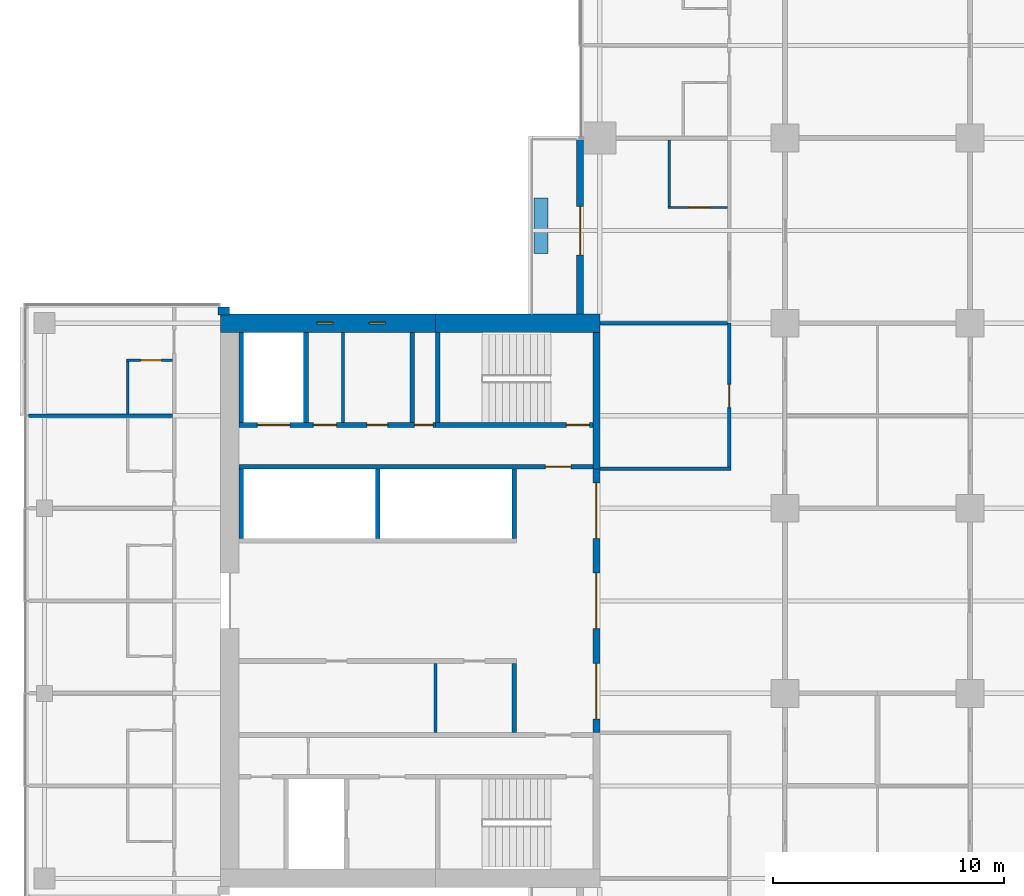
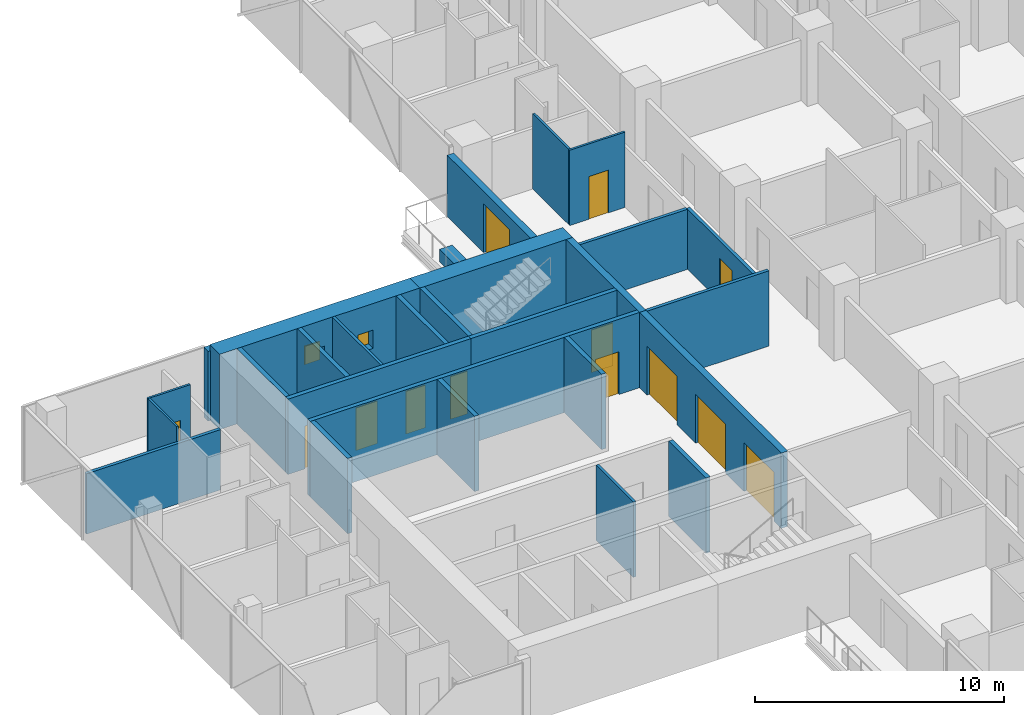
# One storey, part 19 of 29: 28 walls, 13 doors, 2 windows, 15 openings.
"""IFC4 building model written with IfcOpenShell, lengths in metres."""

from ifc_helpers import new_model, si_unit, direction, frame, frame_2d, origin, place, context, subcontext, project, spatial, rectangle, extrude, material, layer, layer_set, constituent, constituent_set, type_object, element, fill, save


model = new_model("IFC4")

# Units and contexts
model_context = context("Model", 3, precision=1e-05, world=origin(), true_north=direction((0.0, 1.0)))
body_context = subcontext(model_context, "Body", "Model", "MODEL_VIEW")
ifc_project = project(units=[si_unit("LENGTHUNIT", "METRE"), si_unit("AREAUNIT", "SQUARE_METRE"), si_unit("VOLUMEUNIT", "CUBIC_METRE"), si_unit("PLANEANGLEUNIT", "RADIAN"), si_unit("MASSUNIT", "GRAM", prefix="KILO")], contexts=[model_context])

# Site, building, storey
site_placement = place(None, origin())
site = spatial("IfcSite", under=ifc_project, at=site_placement, CompositionType="ELEMENT")
building_placement = place(site_placement, origin())
building = spatial("IfcBuilding", under=site, at=building_placement, Name="Crosswind Convention Tower", CompositionType="ELEMENT")
storey_placement = place(building_placement, frame((0.0, 0.0, 60.89990234375)))
storey = spatial("IfcBuildingStorey", under=building, at=storey_placement, Name="L09", CompositionType="ELEMENT", Elevation=60.89990234375)

# Walls
ifc_material_1 = material(Name="Concrete blockwork", Category="masonry")
ifc_layer_1 = layer(ifc_material_1, 0.199951171875)
ifc_layer_set_1 = layer_set([ifc_layer_1], Name="Blockwork partition wall 200")
wall_type_1 = type_object("IfcWallType", Name="Blockwork partition wall 200", PredefinedType="PARTITIONING", material=ifc_layer_set_1)
wall_1_placement = place(storey_placement, frame((104.89990234375, 111.60009765625, 0.0), z_axis=(0.0, 0.0, 1.0), x_axis=(0.0, -1.0, 0.0)))
element("IfcWall", 1, at=wall_1_placement, inside=storey, type_object=wall_type_1, Name="Wall MRSE W L09", PredefinedType="PARTITIONING", context=body_context, shape_type="SweptSolid", body=[
    extrude(rectangle(XDim=3.900146484375, YDim=0.199951171875, at=frame_2d((1.9501953125, 0.0))), origin(), (0.0, 0.0, 1.0), 3.7001953125),
])
ifc_material_2 = material(Name="Plasterboard partition", Category="gypsum")
ifc_layer_2 = layer(ifc_material_2, 0.14990234375)
ifc_layer_set_2 = layer_set([ifc_layer_2], Name="CORRIDOR WALL 150")
wall_type_2 = type_object("IfcWallType", Name="CORRIDOR WALL 150", PredefinedType="PARTITIONING", material=ifc_layer_set_2)
wall_2_placement = place(storey_placement, frame((113.0, 105.699951171875, 0.0), z_axis=(0.0, 0.0, 1.0), x_axis=(1.0, 0.0, 0.0)))
element("IfcWall", 2, at=wall_2_placement, inside=storey, type_object=wall_type_2, Name="Corridor Wall 54", PredefinedType="PARTITIONING", context=body_context, shape_type="SweptSolid", body=[
    extrude(rectangle(XDim=5.675048828125, YDim=0.14990234375, at=frame_2d((2.83740234375, 0.0))), origin(), (0.0, 0.0, 1.0), 3.7001953125),
])

# Wall, opening, door
wall_3_placement = place(storey_placement, frame((118.60009765625, 105.77490234375, 0.0), z_axis=(0.0, 0.0, 1.0), x_axis=(0.0, 1.0, 0.0)))
wall_3 = element("IfcWall", 3, at=wall_3_placement, inside=storey, type_object=wall_type_2, Name="Corridor Wall 105", PredefinedType="PARTITIONING", context=body_context, shape_type="SweptSolid", body=[
    extrude(rectangle(XDim=6.22509765625, YDim=0.14990234375, at=frame_2d((3.112548828125, 0.0))), origin(), (0.0, 0.0, 1.0), 2.95654296875),
])
opening_1_placement = place(wall_3_placement, frame((2.574951171875, 0.0, 0.0)))
opening_1 = element("IfcOpeningElement", 4, at=opening_1_placement, cuts=wall_3, Name="Opening 09.003", PredefinedType="OPENING", context=body_context, shape_type="SweptSolid", body=[
    extrude(rectangle(XDim=1.0, YDim=2.10009765625, at=frame_2d((0.5, 1.050048828125))), frame((0.0, 0.0849609375, 0.0), z_axis=(0.0, -1.0, 0.0), x_axis=(1.0, 0.0, 0.0)), (0.0, 0.0, 1.0), 0.169921875),
])
ifc_material_3 = material(Name="Timber fire door", Category="wood")
door_type_1 = type_object("IfcDoorType", Name="SERVICE ROOM DOOR 1000X2100", OperationType="NOTDEFINED", PredefinedType="DOOR", material=ifc_material_3)
door_1_placement = place(opening_1_placement, origin())
door_1 = element("IfcDoor", 5, at=door_1_placement, inside=storey, type_object=door_type_1, Name="Door 09.003", ObjectType="D3", OperationType="SINGLE_SWING_RIGHT", OverallHeight=2.10009765625, OverallWidth=1.0, PredefinedType="DOOR", context=body_context, shape_type="SweptSolid", body=[
    extrude(rectangle(XDim=1.0, YDim=2.10009765625, at=frame_2d((0.5, 1.050048828125))), frame((0.0, 0.02490234375, 0.0), z_axis=(0.0, -1.0, 0.0), x_axis=(1.0, 0.0, 0.0)), (0.0, 0.0, 1.0), 0.050048828125),
])
fill(opening_1, door_1)

# Wall, openings, doors
ifc_material_4 = material(Name="Concrete C50/60", Category="concrete")
ifc_layer_3 = layer(ifc_material_4, 0.300048828125)
ifc_layer_set_3 = layer_set([ifc_layer_3], Name="Concrete C50/60")
wall_type_3 = type_object("IfcWallType", Name="Concrete inner core wall 300", PredefinedType="SHEAR", material=ifc_layer_set_3)
wall_4_placement = place(storey_placement, frame((112.85009765625, 105.699951171875, 0.0), z_axis=(0.0, 0.0, 1.0), x_axis=(0.0, -1.0, 0.0)))
wall_4 = element("IfcWall", 6, at=wall_4_placement, inside=storey, type_object=wall_type_3, Name="Wall SCR W L09", PredefinedType="SHEAR", context=body_context, shape_type="SweptSolid", body=[
    extrude(rectangle(XDim=11.39990234375, YDim=0.300048828125, at=frame_2d((5.699951171875, 0.0))), origin(), (0.0, 0.0, 1.0), 3.7001953125),
])
opening_2_placement = place(wall_4_placement, frame((0.60009765625, 0.0, 0.0)))
opening_2 = element("IfcOpeningElement", 7, at=opening_2_placement, cuts=wall_4, Name="Opening D100", PredefinedType="OPENING", context=body_context, shape_type="SweptSolid", body=[
    extrude(rectangle(XDim=2.39990234375, YDim=2.39990234375, at=frame_2d((1.199951171875, 1.199951171875))), frame((0.0, 0.159912109375, 0.0), z_axis=(0.0, -1.0, 0.0), x_axis=(1.0, 0.0, 0.0)), (0.0, 0.0, 1.0), 0.320068359375),
])
opening_3_placement = place(wall_4_placement, frame((4.5, 0.0, 0.0)))
opening_3 = element("IfcOpeningElement", 8, at=opening_3_placement, cuts=wall_4, Name="Opening D100", PredefinedType="OPENING", context=body_context, shape_type="SweptSolid", body=[
    extrude(rectangle(XDim=2.39990234375, YDim=2.39990234375, at=frame_2d((1.199951171875, 1.199951171875))), frame((0.0, 0.159912109375, 0.0), z_axis=(0.0, -1.0, 0.0), x_axis=(1.0, 0.0, 0.0)), (0.0, 0.0, 1.0), 0.320068359375),
])
opening_4_placement = place(wall_4_placement, frame((8.39990234375, 0.0, 0.0)))
opening_4 = element("IfcOpeningElement", 9, at=opening_4_placement, cuts=wall_4, Name="Opening D100", PredefinedType="OPENING", context=body_context, shape_type="SweptSolid", body=[
    extrude(rectangle(XDim=2.39990234375, YDim=2.39990234375, at=frame_2d((1.199951171875, 1.199951171875))), frame((0.0, 0.159912109375, 0.0), z_axis=(0.0, -1.0, 0.0), x_axis=(1.0, 0.0, 0.0)), (0.0, 0.0, 1.0), 0.320068359375),
])
ifc_material_5 = material(Name="Steel fire door with glazed vision panels", Category="steel")
door_type_2 = type_object("IfcDoorType", Name="Fire-rated double door 2400x2400", OperationType="DOUBLE_DOOR_SINGLE_SWING", PredefinedType="DOOR", material=ifc_material_5)
door_2_placement = place(opening_2_placement, origin())
door_2 = element("IfcDoor", 10, at=door_2_placement, inside=storey, type_object=door_type_2, Name="Lobby door 1 L09", ObjectType="D100", OperationType="DOUBLE_DOOR_SINGLE_SWING", OverallHeight=2.39990234375, OverallWidth=2.39990234375, PredefinedType="DOOR", context=body_context, shape_type="SweptSolid", body=[
    extrude(rectangle(XDim=2.39990234375, YDim=2.39990234375, at=frame_2d((1.199951171875, 1.199951171875))), frame((0.0, 0.02490234375, 0.0), z_axis=(0.0, -1.0, 0.0), x_axis=(1.0, 0.0, 0.0)), (0.0, 0.0, 1.0), 0.050048828125),
])
fill(opening_2, door_2)
door_3_placement = place(opening_3_placement, origin())
door_3 = element("IfcDoor", 11, at=door_3_placement, inside=storey, type_object=door_type_2, Name="Lobby door 2 L09", ObjectType="D100", OperationType="DOUBLE_DOOR_SINGLE_SWING", OverallHeight=2.39990234375, OverallWidth=2.39990234375, PredefinedType="DOOR", context=body_context, shape_type="SweptSolid", body=[
    extrude(rectangle(XDim=2.39990234375, YDim=2.39990234375, at=frame_2d((1.199951171875, 1.199951171875))), frame((0.0, 0.02490234375, 0.0), z_axis=(0.0, -1.0, 0.0), x_axis=(1.0, 0.0, 0.0)), (0.0, 0.0, 1.0), 0.050048828125),
])
fill(opening_3, door_3)
door_4_placement = place(opening_4_placement, origin())
door_4 = element("IfcDoor", 12, at=door_4_placement, inside=storey, type_object=door_type_2, Name="Lobby door 3 L09", ObjectType="D100", OperationType="DOUBLE_DOOR_SINGLE_SWING", OverallHeight=2.39990234375, OverallWidth=2.39990234375, PredefinedType="DOOR", context=body_context, shape_type="SweptSolid", body=[
    extrude(rectangle(XDim=2.39990234375, YDim=2.39990234375, at=frame_2d((1.199951171875, 1.199951171875))), frame((0.0, 0.02490234375, 0.0), z_axis=(0.0, -1.0, 0.0), x_axis=(1.0, 0.0, 0.0)), (0.0, 0.0, 1.0), 0.050048828125),
])
fill(opening_4, door_4)

# Walls
wall_5_placement = place(storey_placement, frame((112.85009765625, 111.60009765625, 0.0), z_axis=(0.0, 0.0, 1.0), x_axis=(0.0, -1.0, 0.0)))
element("IfcWall", 13, at=wall_5_placement, inside=storey, type_object=wall_type_3, Name="Wall EM W L09", PredefinedType="SHEAR", context=body_context, shape_type="SweptSolid", body=[
    extrude(rectangle(XDim=5.900146484375, YDim=0.300048828125, at=frame_2d((2.9501953125, 0.0))), origin(), (0.0, 0.0, 1.0), 3.7001953125),
])
ifc_layer_4 = layer(ifc_material_4, 0.199951171875)
ifc_layer_set_4 = layer_set([ifc_layer_4], Name="Concrete C50/60")
wall_type_4 = type_object("IfcWallType", Name="Concrete shaft and stair wall 200", PredefinedType="SHEAR", material=ifc_layer_set_4)
for number, where, z_axis, x_axis, name in (
    (14, (109.300048828125, 97.300048828125, 0.0), (0.0, 0.0, 1.0), (0.0, -1.0, 0.0), "Wall RPEND W L09"),
    (15, (109.300048828125, 105.699951171875, 0.0), (0.0, 0.0, 1.0), (0.0, -1.0, 0.0), "Wall RMEND W L09"),
    (16, (103.39990234375, 105.699951171875, 0.0), (0.0, 0.0, 1.0), (0.0, -1.0, 0.0), "Wall RMSEP W L09"),
    (17, (97.5, 105.699951171875, 0.0), (0.0, 0.0, 1.0), (0.0, -1.0, 0.0), "Wall RMEAST W L09"),
):
    element("IfcWall", number, at=place(storey_placement, frame(where, z_axis=z_axis, x_axis=x_axis)), inside=storey, type_object=wall_type_4, Name=name, PredefinedType="SHEAR", context=body_context, shape_type="SweptSolid", body=[
        extrude(rectangle(XDim=3.0, YDim=0.199951171875, at=frame_2d((1.5, 0.0))), origin(), (0.0, 0.0, 1.0), 3.7001953125),
    ])

# Wall, opening, door
wall_6_placement = place(storey_placement, frame((112.699951171875, 105.800048828125, 0.0), z_axis=(0.0, 0.0, 1.0), x_axis=(-1.0, 0.0, 0.0)))
wall_6 = element("IfcWall", 18, at=wall_6_placement, inside=storey, type_object=wall_type_4, Name="Wall HM W L09", PredefinedType="SHEAR", context=body_context, shape_type="SweptSolid", body=[
    extrude(rectangle(XDim=15.300048828125, YDim=0.199951171875, at=frame_2d((7.64990234375, 0.0))), origin(), (0.0, 0.0, 1.0), 3.7001953125),
])
opening_5_placement = place(wall_6_placement, frame((0.949951171875, 0.0, 0.0)))
opening_5 = element("IfcOpeningElement", 19, at=opening_5_placement, cuts=wall_6, Name="Opening D104", PredefinedType="OPENING", context=body_context, shape_type="SweptSolid", body=[
    extrude(rectangle(XDim=1.10009765625, YDim=2.10009765625, at=frame_2d((0.550048828125, 1.050048828125))), frame((0.0, 0.10986328125, 0.0), z_axis=(0.0, -1.0, 0.0), x_axis=(1.0, 0.0, 0.0)), (0.0, 0.0, 1.0), 0.219970703125),
])
ifc_material_6 = material(Name="Steel fire door", Category="steel")
door_type_3 = type_object("IfcDoorType", Name="Fire-rated single door 1100x2100", OperationType="NOTDEFINED", PredefinedType="DOOR", material=ifc_material_6)
door_5_placement = place(opening_5_placement, origin())
door_5 = element("IfcDoor", 20, at=door_5_placement, inside=storey, type_object=door_type_3, Name="Corridor door L09", ObjectType="D104", OperationType="SINGLE_SWING_LEFT", OverallHeight=2.10009765625, OverallWidth=1.10009765625, PredefinedType="DOOR", context=body_context, shape_type="SweptSolid", body=[
    extrude(rectangle(XDim=1.10009765625, YDim=2.10009765625, at=frame_2d((0.550048828125, 1.050048828125))), frame((0.0, 0.02490234375, 0.0), z_axis=(0.0, -1.0, 0.0), x_axis=(1.0, 0.0, 0.0)), (0.0, 0.0, 1.0), 0.050048828125),
])
fill(opening_5, door_5)

# Walls
for number, where, z_axis, x_axis, name in (
    (21, (106.0, 111.60009765625, 0.0), (0.0, 0.0, 1.0), (0.0, -1.0, 0.0), "Wall MSE W L09"),
    (22, (100.300048828125, 111.60009765625, 0.0), (0.0, 0.0, 1.0), (0.0, -1.0, 0.0), "Wall MFSW W L09"),
    (23, (97.5, 111.60009765625, 0.0), (0.0, 0.0, 1.0), (0.0, -1.0, 0.0), "Wall MFSE W L09"),
):
    element("IfcWall", number, at=place(storey_placement, frame(where, z_axis=z_axis, x_axis=x_axis)), inside=storey, type_object=wall_type_4, Name=name, PredefinedType="SHEAR", context=body_context, shape_type="SweptSolid", body=[
        extrude(rectangle(XDim=3.900146484375, YDim=0.199951171875, at=frame_2d((1.9501953125, 0.0))), origin(), (0.0, 0.0, 1.0), 3.7001953125),
    ])

# Wall, opening, door
wall_7_placement = place(storey_placement, frame((112.699951171875, 107.60009765625, 0.0), z_axis=(0.0, 0.0, 1.0), x_axis=(-1.0, 0.0, 0.0)))
wall_7 = element("IfcWall", 24, at=wall_7_placement, inside=storey, type_object=wall_type_4, Name="Wall MCW W L09", PredefinedType="SHEAR", context=body_context, shape_type="SweptSolid", body=[
    extrude(rectangle(XDim=6.800048828125, YDim=0.199951171875, at=frame_2d((3.39990234375, 0.0))), origin(), (0.0, 0.0, 1.0), 3.7001953125),
])
opening_6_placement = place(wall_7_placement, frame((0.14990234375, 0.0, 0.0)))
opening_6 = element("IfcOpeningElement", 25, at=opening_6_placement, cuts=wall_7, Name="Opening D103", PredefinedType="OPENING", context=body_context, shape_type="SweptSolid", body=[
    extrude(rectangle(XDim=1.0, YDim=2.10009765625, at=frame_2d((0.5, 1.050048828125))), frame((0.0, 0.10986328125, 0.0), z_axis=(0.0, -1.0, 0.0), x_axis=(1.0, 0.0, 0.0)), (0.0, 0.0, 1.0), 0.219970703125),
])
door_type_4 = type_object("IfcDoorType", Name="Fire-rated single door 1000x2100", OperationType="NOTDEFINED", PredefinedType="DOOR", material=ifc_material_6)
door_6_placement = place(opening_6_placement, frame((1.0, 0.0, 0.0), z_axis=(0.0, 0.0, 1.0), x_axis=(-1.0, 0.0, 0.0)))
door_6 = element("IfcDoor", 26, at=door_6_placement, inside=storey, type_object=door_type_4, Name="Stair ST4 door L09", ObjectType="D103", OperationType="SINGLE_SWING_RIGHT", OverallHeight=2.10009765625, OverallWidth=1.0, PredefinedType="DOOR", context=body_context, shape_type="SweptSolid", body=[
    extrude(rectangle(XDim=1.0, YDim=2.10009765625, at=frame_2d((0.5, 1.050048828125))), frame((0.0, 0.02490234375, 0.0), z_axis=(0.0, -1.0, 0.0), x_axis=(1.0, 0.0, 0.0)), (0.0, 0.0, 1.0), 0.050048828125),
])
fill(opening_6, door_6)

# Wall, openings, doors
wall_8_placement = place(storey_placement, frame((105.89990234375, 107.60009765625, 0.0), z_axis=(0.0, 0.0, 1.0), x_axis=(-1.0, 0.0, 0.0)))
wall_8 = element("IfcWall", 27, at=wall_8_placement, inside=storey, type_object=wall_type_4, Name="Wall MCX W L09", PredefinedType="SHEAR", context=body_context, shape_type="SweptSolid", body=[
    extrude(rectangle(XDim=8.5, YDim=0.199951171875, at=frame_2d((4.25, 0.0))), origin(), (0.0, 0.0, 1.0), 3.7001953125),
])
opening_7_placement = place(wall_8_placement, frame((0.10009765625, 0.0, 0.0)))
opening_7 = element("IfcOpeningElement", 28, at=opening_7_placement, cuts=wall_8, Name="Opening D105", PredefinedType="OPENING", context=body_context, shape_type="SweptSolid", body=[
    extrude(rectangle(XDim=0.800048828125, YDim=2.10009765625, at=frame_2d((0.39990234375, 1.050048828125))), frame((0.0, 0.10986328125, 0.0), z_axis=(0.0, -1.0, 0.0), x_axis=(1.0, 0.0, 0.0)), (0.0, 0.0, 1.0), 0.219970703125),
])
opening_8_placement = place(wall_8_placement, frame((2.07080078125, 0.0, 0.0)))
opening_8 = element("IfcOpeningElement", 29, at=opening_8_placement, cuts=wall_8, Name="Opening D106", PredefinedType="OPENING", context=body_context, shape_type="SweptSolid", body=[
    extrude(rectangle(XDim=0.89990234375, YDim=2.10009765625, at=frame_2d((0.449951171875, 1.050048828125))), frame((0.0, 0.10986328125, 0.0), z_axis=(0.0, -1.0, 0.0), x_axis=(1.0, 0.0, 0.0)), (0.0, 0.0, 1.0), 0.219970703125),
])
opening_9_placement = place(wall_8_placement, frame((4.283203125, 0.0, 0.0)))
opening_9 = element("IfcOpeningElement", 30, at=opening_9_placement, cuts=wall_8, Name="Opening D103", PredefinedType="OPENING", context=body_context, shape_type="SweptSolid", body=[
    extrude(rectangle(XDim=1.0, YDim=2.10009765625, at=frame_2d((0.5, 1.050048828125))), frame((0.0, 0.10986328125, 0.0), z_axis=(0.0, -1.0, 0.0), x_axis=(1.0, 0.0, 0.0)), (0.0, 0.0, 1.0), 0.219970703125),
])
opening_10_placement = place(wall_8_placement, frame((6.300048828125, 0.0, 0.0)))
opening_10 = element("IfcOpeningElement", 31, at=opening_10_placement, cuts=wall_8, Name="Opening LD2", PredefinedType="OPENING", context=body_context, shape_type="SweptSolid", body=[
    extrude(rectangle(XDim=1.39990234375, YDim=2.10009765625, at=frame_2d((0.699951171875, 1.050048828125))), frame((0.0, 0.10986328125, 0.0), z_axis=(0.0, -1.0, 0.0), x_axis=(1.0, 0.0, 0.0)), (0.0, 0.0, 1.0), 0.219970703125),
])
door_7_placement = place(opening_9_placement, frame((1.0, 0.0, 0.0), z_axis=(0.0, 0.0, 1.0), x_axis=(-1.0, 0.0, 0.0)))
door_7 = element("IfcDoor", 32, at=door_7_placement, inside=storey, type_object=door_type_4, Name="Door to accessible wc L09", ObjectType="D103", OperationType="SINGLE_SWING_LEFT", OverallHeight=2.10009765625, OverallWidth=1.0, PredefinedType="DOOR", context=body_context, shape_type="SweptSolid", body=[
    extrude(rectangle(XDim=1.0, YDim=2.10009765625, at=frame_2d((0.5, 1.050048828125))), frame((0.0, 0.02490234375, 0.0), z_axis=(0.0, -1.0, 0.0), x_axis=(1.0, 0.0, 0.0)), (0.0, 0.0, 1.0), 0.050048828125),
])
fill(opening_9, door_7)
ifc_material_7 = material(Name="Stainless steel", Category="steel")
door_type_5 = type_object("IfcDoorType", Name="Lift landing door 1400x2100", OperationType="DOUBLE_DOOR_SLIDING", PredefinedType="DOOR", material=ifc_material_7)
door_8_placement = place(opening_10_placement, origin())
door_8 = element("IfcDoor", 33, at=door_8_placement, inside=storey, type_object=door_type_5, Name="Landing door SV2 L09", ObjectType="LD2", OperationType="DOUBLE_DOOR_SLIDING", OverallHeight=2.10009765625, OverallWidth=1.39990234375, PredefinedType="DOOR", context=body_context, shape_type="SweptSolid", body=[
    extrude(rectangle(XDim=1.39990234375, YDim=2.10009765625, at=frame_2d((0.699951171875, 1.050048828125))), frame((0.0, 0.02490234375, 0.0), z_axis=(0.0, -1.0, 0.0), x_axis=(1.0, 0.0, 0.0)), (0.0, 0.0, 1.0), 0.050048828125),
])
fill(opening_10, door_8)
door_type_6 = type_object("IfcDoorType", Name="Riser access door 800x2100", OperationType="NOTDEFINED", PredefinedType="DOOR", material=ifc_material_6)
door_9_placement = place(opening_7_placement, frame((0.800048828125, 0.0, 0.0), z_axis=(0.0, 0.0, 1.0), x_axis=(-1.0, 0.0, 0.0)))
door_9 = element("IfcDoor", 34, at=door_9_placement, inside=storey, type_object=door_type_6, Name="Riser door L09", ObjectType="D105", OperationType="SINGLE_SWING_LEFT", OverallHeight=2.10009765625, OverallWidth=0.800048828125, PredefinedType="DOOR", context=body_context, shape_type="SweptSolid", body=[
    extrude(rectangle(XDim=0.800048828125, YDim=2.10009765625, at=frame_2d((0.39990234375, 1.050048828125))), frame((0.0, 0.02490234375, 0.0), z_axis=(0.0, -1.0, 0.0), x_axis=(1.0, 0.0, 0.0)), (0.0, 0.0, 1.0), 0.050048828125),
])
fill(opening_7, door_9)
ifc_material_8 = material(Name="Timber door", Category="wood")
door_type_7 = type_object("IfcDoorType", Name="Single leaf door 900x2100", OperationType="NOTDEFINED", PredefinedType="DOOR", material=ifc_material_8)
door_10_placement = place(opening_8_placement, frame((0.89990234375, 0.0, 0.0), z_axis=(0.0, 0.0, 1.0), x_axis=(-1.0, 0.0, 0.0)))
door_10 = element("IfcDoor", 35, at=door_10_placement, inside=storey, type_object=door_type_7, Name="Door to wc L09", ObjectType="D106", OperationType="SINGLE_SWING_LEFT", OverallHeight=2.10009765625, OverallWidth=0.89990234375, PredefinedType="DOOR", context=body_context, shape_type="SweptSolid", body=[
    extrude(rectangle(XDim=0.89990234375, YDim=2.10009765625, at=frame_2d((0.449951171875, 1.050048828125))), frame((0.0, 0.02490234375, 0.0), z_axis=(0.0, -1.0, 0.0), x_axis=(1.0, 0.0, 0.0)), (0.0, 0.0, 1.0), 0.050048828125),
])
fill(opening_8, door_10)

# Walls
ifc_material_9 = material(Name="Gypsum plasterboard partition", Category="gypsum")
ifc_layer_5 = layer(ifc_material_9, 0.125)
ifc_layer_set_5 = layer_set([ifc_layer_5], Name="Drywall partition wall 125")
wall_type_5 = type_object("IfcWallType", Name="Drywall partition wall 125", PredefinedType="PARTITIONING", material=ifc_layer_set_5)
wall_9_placement = place(storey_placement, frame((105.89599609375, 97.300048828125, 0.0), z_axis=(0.0, 0.0, 1.0), x_axis=(0.0, -1.0, 0.0)))
element("IfcWall", 36, at=wall_9_placement, inside=storey, type_object=wall_type_5, Name="Wall RPP1 W L09", PredefinedType="PARTITIONING", context=body_context, shape_type="SweptSolid", body=[
    extrude(rectangle(XDim=3.0, YDim=0.125, at=frame_2d((1.5, 0.0))), origin(), (0.0, 0.0, 1.0), 3.7001953125),
])
wall_10_placement = place(storey_placement, frame((101.89599609375, 111.60009765625, 0.0), z_axis=(0.0, 0.0, 1.0), x_axis=(0.0, -1.0, 0.0)))
element("IfcWall", 37, at=wall_10_placement, inside=storey, type_object=wall_type_5, Name="Wall MWP1 W L09", PredefinedType="PARTITIONING", context=body_context, shape_type="SweptSolid", body=[
    extrude(rectangle(XDim=3.900146484375, YDim=0.125, at=frame_2d((1.9501953125, 0.0))), origin(), (0.0, 0.0, 1.0), 3.7001953125),
])
ifc_material_10 = material(Name="Acoustic plasterboard partition", Category="gypsum")
ifc_layer_6 = layer(ifc_material_10, 0.14990234375)
ifc_layer_set_6 = layer_set([ifc_layer_6], Name="GUEST ROOM WALL 150")
wall_type_6 = type_object("IfcWallType", Name="GUEST ROOM WALL 150", PredefinedType="PARTITIONING", material=ifc_layer_set_6)
wall_11_placement = place(storey_placement, frame((88.300048828125, 108.0, 0.0), z_axis=(0.0, 0.0, 1.0), x_axis=(1.0, 0.0, 0.0)))
element("IfcWall", 38, at=wall_11_placement, inside=storey, type_object=wall_type_6, Name="Guest Room Wall 56", PredefinedType="PARTITIONING", context=body_context, shape_type="SweptSolid", body=[
    extrude(rectangle(XDim=6.224853515625, YDim=0.14990234375, at=frame_2d((3.1123046875, 0.0))), origin(), (0.0, 0.0, 1.0), 2.962890625),
])
wall_12_placement = place(storey_placement, frame((113.0, 112.0, 0.0), z_axis=(0.0, 0.0, 1.0), x_axis=(1.0, 0.0, 0.0)))
element("IfcWall", 39, at=wall_12_placement, inside=storey, type_object=wall_type_6, Name="Guest Room Wall 61", PredefinedType="PARTITIONING", context=body_context, shape_type="SweptSolid", body=[
    extrude(rectangle(XDim=5.52490234375, YDim=0.14990234375, at=frame_2d((2.762451171875, 0.0))), origin(), (0.0, 0.0, 1.0), 2.95654296875),
])
ifc_material_11 = material(Name="Concrete C30/37", Category="concrete")
ifc_layer_7 = layer(ifc_material_11, 0.60009765625)
ifc_layer_set_7 = layer_set([ifc_layer_7], Name="Concrete C30/37")
wall_type_7 = type_object("IfcWallType", Name="PLANTER BOX WALL 600", PredefinedType="SOLIDWALL", material=ifc_layer_set_7)
wall_13_placement = place(storey_placement, frame((110.449951171875, 117.39990234375, 0.0), z_axis=(0.0, 0.0, 1.0), x_axis=(0.0, -1.0, 0.0)))
element("IfcWall", 40, at=wall_13_placement, inside=storey, type_object=wall_type_7, Name="PLANTER L09 N-W.1-3", PredefinedType="SOLIDWALL", context=body_context, shape_type="SweptSolid", body=[
    extrude(rectangle(XDim=2.39990234375, YDim=0.60009765625, at=frame_2d((1.199951171875, 0.0))), origin(), (0.0, 0.0, 1.0), 0.60009765625),
])
ifc_material_12 = material(Name="Terracotta rainscreen", Category="ceramic")
ifc_layer_8 = layer(ifc_material_12, 0.02001953125)
ifc_material_13 = material(Name="Mineral wool insulation", Category="insulation")
ifc_layer_9 = layer(ifc_material_13, 0.10009765625)
ifc_layer_10 = layer(ifc_material_1, 0.236083984375)
ifc_layer_set_8 = layer_set([ifc_layer_8, ifc_layer_9, ifc_layer_10], Name="TERRACOTTA CORNER INFILL WALL 356")
wall_type_8 = type_object("IfcWallType", Name="TERRACOTTA CORNER INFILL WALL 356", PredefinedType="SOLIDWALL", material=ifc_layer_set_8)
wall_14_placement = place(storey_placement, frame((96.4951171875, 112.52197265625, 0.0), z_axis=(0.0, 0.0, 1.0), x_axis=(1.0, 0.0, 0.0)))
element("IfcWall", 41, at=wall_14_placement, inside=storey, type_object=wall_type_8, Name="Core corner infill wall L09 2", PredefinedType="SOLIDWALL", context=body_context, shape_type="SweptSolid", body=[
    extrude(rectangle(XDim=0.5048828125, YDim=0.35595703125, at=frame_2d((0.25244140625, 0.0))), origin(), (0.0, 0.0, 1.0), 3.420166015625),
])

# Wall, opening, door
ifc_layer_11 = layer(ifc_material_12, 0.02001953125)
ifc_layer_12 = layer(ifc_material_13, 0.10009765625)
ifc_layer_13 = layer(ifc_material_1, 0.179931640625)
ifc_layer_set_9 = layer_set([ifc_layer_11, ifc_layer_12, ifc_layer_13], Name="TERRACOTTA INFILL WALL 300")
wall_type_9 = type_object("IfcWallType", Name="TERRACOTTA INFILL WALL 300", PredefinedType="SOLIDWALL", material=ifc_layer_set_9)
wall_15_placement = place(storey_placement, frame((112.14990234375, 119.967529296875, 0.0), z_axis=(0.0, 0.0, 1.0), x_axis=(0.0, -1.0, 0.0)))
wall_15 = element("IfcWall", 42, at=wall_15_placement, inside=storey, type_object=wall_type_9, Name="Notch front wall L09 N-W.1-3", PredefinedType="SOLIDWALL", context=body_context, shape_type="SweptSolid", body=[
    extrude(rectangle(XDim=7.567626953125, YDim=0.300048828125, at=frame_2d((3.78369140625, 0.0))), origin(), (0.0, 0.0, 1.0), 3.013671875),
])
opening_11_placement = place(wall_15_placement, frame((2.91748046875, 0.0, 0.0)))
opening_11 = element("IfcOpeningElement", 43, at=opening_11_placement, cuts=wall_15, Name="Opening D141", PredefinedType="OPENING", context=body_context, shape_type="SweptSolid", body=[
    extrude(rectangle(XDim=2.10009765625, YDim=2.39990234375, at=frame_2d((1.050048828125, 1.199951171875))), frame((0.0, 0.159912109375, 0.0), z_axis=(0.0, -1.0, 0.0), x_axis=(1.0, 0.0, 0.0)), (0.0, 0.0, 1.0), 0.320068359375),
])
ifc_material_14 = material(Name="Aluminium glazed door", Category="aluminium")
door_type_8 = type_object("IfcDoorType", Name="BALCONY SLIDING DOOR 2100X2400", OperationType="SLIDING_TO_LEFT", PredefinedType="DOOR", material=ifc_material_14)
door_11_placement = place(opening_11_placement, frame((2.10009765625, 0.0, 0.0), z_axis=(0.0, 0.0, 1.0), x_axis=(-1.0, 0.0, 0.0)))
door_11 = element("IfcDoor", 44, at=door_11_placement, inside=storey, type_object=door_type_8, Name="D141 balcony door L09 N-W.1-3", ObjectType="D141", OperationType="SLIDING_TO_LEFT", OverallHeight=2.39990234375, OverallWidth=2.10009765625, PredefinedType="DOOR", context=body_context, shape_type="SweptSolid", body=[
    extrude(rectangle(XDim=2.10009765625, YDim=2.39990234375, at=frame_2d((1.050048828125, 1.199951171875))), frame((0.0, 0.02490234375, 0.0), z_axis=(0.0, -1.0, 0.0), x_axis=(1.0, 0.0, 0.0)), (0.0, 0.0, 1.0), 0.050048828125),
])
fill(opening_11, door_11)

# Wall
ifc_material_15 = material(Name="Concrete C60/75", Category="concrete")
ifc_constituent_1 = constituent(ifc_material_15, Name="Structure")
ifc_constituent_2 = constituent(ifc_material_12, Name="Facing")
ifc_constituent_set = constituent_set(constituents=[ifc_constituent_1, ifc_constituent_2], Name="Concrete C60/75, Terracotta rainscreen")
wall_type_10 = type_object("IfcWallType", Name="Terracotta rainscreen on concrete core wall 800", PredefinedType="SHEAR", material=ifc_constituent_set)
wall_16_placement = place(storey_placement, frame((113.0, 112.0, 0.0), z_axis=(0.0, 0.0, 1.0), x_axis=(-1.0, 0.0, 0.0)))
element("IfcWall", 45, at=wall_16_placement, inside=storey, type_object=wall_type_10, Name="Wall S1 W L09", PredefinedType="SHEAR", context=body_context, shape_type="SweptSolid", body=[
    extrude(rectangle(XDim=7.10009765625, YDim=0.800048828125, at=frame_2d((3.550048828125, 0.0))), origin(), (0.0, 0.0, 1.0), 3.7001953125),
])

# Wall, openings, windows
wall_17_placement = place(storey_placement, frame((105.89990234375, 112.0, 0.0), z_axis=(0.0, 0.0, 1.0), x_axis=(-1.0, 0.0, 0.0)))
wall_17 = element("IfcWall", 46, at=wall_17_placement, inside=storey, type_object=wall_type_10, Name="Wall S2 W L09", PredefinedType="SHEAR", context=body_context, shape_type="SweptSolid", body=[
    extrude(rectangle(XDim=9.2998046875, YDim=0.800048828125, at=frame_2d((4.64990234375, 0.0))), origin(), (0.0, 0.0, 1.0), 3.7001953125),
])
opening_12_placement = place(wall_17_placement, frame((2.170654296875, 0.0, 1.5)))
opening_12 = element("IfcOpeningElement", 47, at=opening_12_placement, cuts=wall_17, Name="Opening W2", PredefinedType="OPENING", context=body_context, shape_type="SweptSolid", body=[
    extrude(rectangle(XDim=0.699951171875, YDim=0.89990234375, at=frame_2d((0.35009765625, 0.449951171875))), frame((0.0, 0.409912109375, 0.0), z_axis=(0.0, -1.0, 0.0), x_axis=(1.0, 0.0, 0.0)), (0.0, 0.0, 1.0), 0.820068359375),
])
opening_13_placement = place(wall_17_placement, frame((4.433349609375, 0.0, 1.5)))
opening_13 = element("IfcOpeningElement", 48, at=opening_13_placement, cuts=wall_17, Name="Opening W2", PredefinedType="OPENING", context=body_context, shape_type="SweptSolid", body=[
    extrude(rectangle(XDim=0.699951171875, YDim=0.89990234375, at=frame_2d((0.35009765625, 0.449951171875))), frame((0.0, 0.409912109375, 0.0), z_axis=(0.0, -1.0, 0.0), x_axis=(1.0, 0.0, 0.0)), (0.0, 0.0, 1.0), 0.820068359375),
])
ifc_material_16 = material(Name="Obscure glass in aluminium frame", Category="aluminium")
window_type = type_object("IfcWindowType", Name="WC window 700x900", PartitioningType="SINGLE_PANEL", PredefinedType="WINDOW", material=ifc_material_16)
window_1_placement = place(opening_12_placement, origin())
window_1 = element("IfcWindow", 49, at=window_1_placement, inside=storey, type_object=window_type, Name="WC window L09", ObjectType="W2", OverallHeight=0.89990234375, OverallWidth=0.699951171875, PartitioningType="SINGLE_PANEL", PredefinedType="WINDOW", context=body_context, shape_type="SweptSolid", body=[
    extrude(rectangle(XDim=0.699951171875, YDim=0.89990234375, at=frame_2d((0.35009765625, 0.449951171875))), frame((0.0, 0.030029296875, 0.0), z_axis=(0.0, -1.0, 0.0), x_axis=(1.0, 0.0, 0.0)), (0.0, 0.0, 1.0), 0.06005859375),
])
fill(opening_12, window_1)
window_2_placement = place(opening_13_placement, origin())
window_2 = element("IfcWindow", 50, at=window_2_placement, inside=storey, type_object=window_type, Name="WC window L09", ObjectType="W2", OverallHeight=0.89990234375, OverallWidth=0.699951171875, PartitioningType="SINGLE_PANEL", PredefinedType="WINDOW", context=body_context, shape_type="SweptSolid", body=[
    extrude(rectangle(XDim=0.699951171875, YDim=0.89990234375, at=frame_2d((0.35009765625, 0.449951171875))), frame((0.0, 0.030029296875, 0.0), z_axis=(0.0, -1.0, 0.0), x_axis=(1.0, 0.0, 0.0)), (0.0, 0.0, 1.0), 0.06005859375),
])
fill(opening_13, window_2)

# Wall, opening, door
ifc_material_17 = material(Name="Water-resistant plasterboard partition", Category="gypsum")
ifc_layer_14 = layer(ifc_material_17, 0.10009765625)
ifc_layer_set_10 = layer_set([ifc_layer_14], Name="WET ROOM PARTITION 100")
wall_type_11 = type_object("IfcWallType", Name="WET ROOM PARTITION 100", PredefinedType="PLUMBINGWALL", material=ifc_layer_set_10)
wall_18_placement = place(storey_placement, frame((92.550048828125, 110.39990234375, 0.0), z_axis=(0.0, 0.0, 1.0), x_axis=(1.0, 0.0, 0.0)))
wall_18 = element("IfcWall", 51, at=wall_18_placement, inside=storey, type_object=wall_type_11, Name="Wet Room Partition 59", PredefinedType="PLUMBINGWALL", context=body_context, shape_type="SweptSolid", body=[
    extrude(rectangle(XDim=1.974853515625, YDim=0.10009765625, at=frame_2d((0.9873046875, 0.0))), origin(), (0.0, 0.0, 1.0), 3.7001953125),
])
opening_14_placement = place(wall_18_placement, frame((0.60009765625, 0.0, 0.0)))
opening_14 = element("IfcOpeningElement", 52, at=opening_14_placement, cuts=wall_18, Name="Opening 09.068", PredefinedType="OPENING", context=body_context, shape_type="SweptSolid", body=[
    extrude(rectangle(XDim=0.89990234375, YDim=2.10009765625, at=frame_2d((0.449951171875, 1.050048828125))), frame((0.0, 0.06005859375, 0.0), z_axis=(0.0, -1.0, 0.0), x_axis=(1.0, 0.0, 0.0)), (0.0, 0.0, 1.0), 0.1201171875),
])
door_type_9 = type_object("IfcDoorType", Name="EN-SUITE DOOR 900X2100", OperationType="NOTDEFINED", PredefinedType="DOOR", material=ifc_material_8)
door_12_placement = place(opening_14_placement, frame((0.89990234375, 0.0, 0.0), z_axis=(0.0, 0.0, 1.0), x_axis=(-1.0, 0.0, 0.0)))
door_12 = element("IfcDoor", 53, at=door_12_placement, inside=storey, type_object=door_type_9, Name="Door 09.068", ObjectType="D2", OperationType="SINGLE_SWING_LEFT", OverallHeight=2.10009765625, OverallWidth=0.89990234375, PredefinedType="DOOR", context=body_context, shape_type="SweptSolid", body=[
    extrude(rectangle(XDim=0.89990234375, YDim=2.10009765625, at=frame_2d((0.449951171875, 1.050048828125))), frame((0.0, 0.02490234375, 0.0), z_axis=(0.0, -1.0, 0.0), x_axis=(1.0, 0.0, 0.0)), (0.0, 0.0, 1.0), 0.050048828125),
])
fill(opening_14, door_12)

wall_19_placement = place(storey_placement, frame((115.949951171875, 117.0, 0.0), z_axis=(0.0, 0.0, 1.0), x_axis=(1.0, 0.0, 0.0)))
wall_19 = element("IfcWall", 54, at=wall_19_placement, inside=storey, type_object=wall_type_11, Name="Wet Room Partition 64", PredefinedType="PLUMBINGWALL", context=body_context, shape_type="SweptSolid", body=[
    extrude(rectangle(XDim=2.574951171875, YDim=0.10009765625, at=frame_2d((1.28759765625, 0.0))), origin(), (0.0, 0.0, 1.0), 3.7001953125),
])
opening_15_placement = place(wall_19_placement, frame((0.89990234375, 0.0, 0.0)))
opening_15 = element("IfcOpeningElement", 55, at=opening_15_placement, cuts=wall_19, Name="Opening 09.016", PredefinedType="OPENING", context=body_context, shape_type="SweptSolid", body=[
    extrude(rectangle(XDim=0.89990234375, YDim=2.10009765625, at=frame_2d((0.449951171875, 1.050048828125))), frame((0.0, 0.06005859375, 0.0), z_axis=(0.0, -1.0, 0.0), x_axis=(1.0, 0.0, 0.0)), (0.0, 0.0, 1.0), 0.1201171875),
])
door_13_placement = place(opening_15_placement, origin())
door_13 = element("IfcDoor", 56, at=door_13_placement, inside=storey, type_object=door_type_9, Name="Door 09.016", ObjectType="D2", OperationType="SINGLE_SWING_RIGHT", OverallHeight=2.10009765625, OverallWidth=0.89990234375, PredefinedType="DOOR", context=body_context, shape_type="SweptSolid", body=[
    extrude(rectangle(XDim=0.89990234375, YDim=2.10009765625, at=frame_2d((0.449951171875, 1.050048828125))), frame((0.0, 0.02490234375, 0.0), z_axis=(0.0, -1.0, 0.0), x_axis=(1.0, 0.0, 0.0)), (0.0, 0.0, 1.0), 0.050048828125),
])
fill(opening_15, door_13)

# Walls
wall_20_placement = place(storey_placement, frame((92.60009765625, 108.074951171875, 0.0), z_axis=(0.0, 0.0, 1.0), x_axis=(0.0, 1.0, 0.0)))
element("IfcWall", 57, at=wall_20_placement, inside=storey, type_object=wall_type_11, Name="Wet Room Partition 91", PredefinedType="PLUMBINGWALL", context=body_context, shape_type="SweptSolid", body=[
    extrude(rectangle(XDim=2.275146484375, YDim=0.10009765625, at=frame_2d((1.1376953125, 0.0))), origin(), (0.0, 0.0, 1.0), 3.7001953125),
])
wall_21_placement = place(storey_placement, frame((116.0, 117.050048828125, 0.0), z_axis=(0.0, 0.0, 1.0), x_axis=(0.0, 1.0, 0.0)))
element("IfcWall", 58, at=wall_21_placement, inside=storey, type_object=wall_type_11, Name="Wet Room Partition 94", PredefinedType="PLUMBINGWALL", context=body_context, shape_type="SweptSolid", body=[
    extrude(rectangle(XDim=2.875, YDim=0.10009765625, at=frame_2d((1.4375, 0.0))), origin(), (0.0, 0.0, 1.0), 3.7001953125),
])

save(model, "model.ifc")
